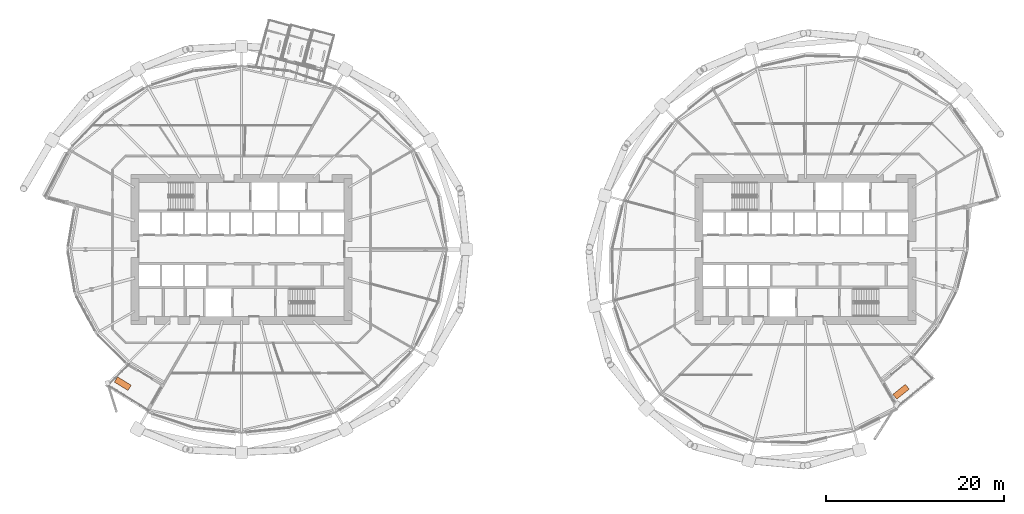
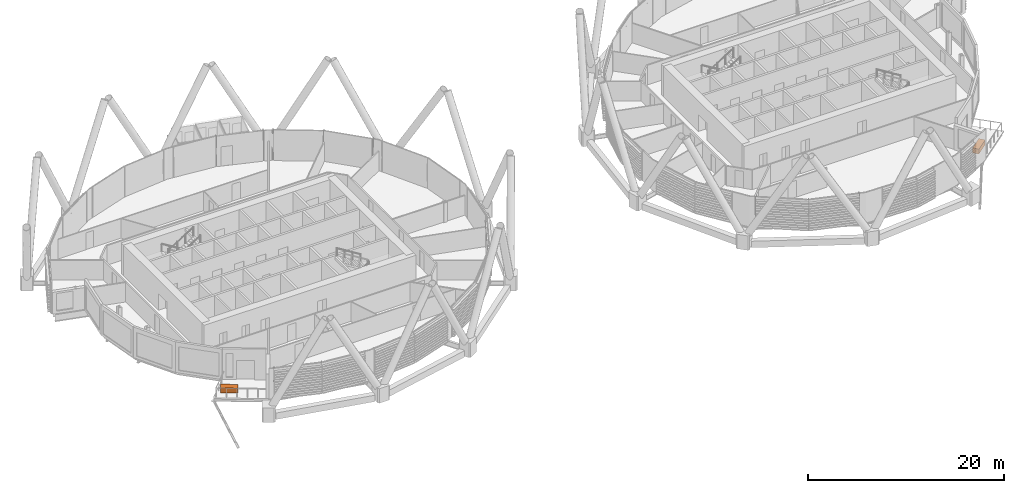
# One storey, part 40 of 40: 2 proxies.
"""IFC4 building model written with IfcOpenShell, lengths in metres."""

from ifc_helpers import new_model, si_unit, direction, frame, origin, origin_2d, place, context, subcontext, project, spatial, rectangle, extrude, material, type_object, element, save


model = new_model("IFC4")

# Units and contexts
model_context = context("Model", 3, precision=1e-05, world=origin(), true_north=direction((0.0, 1.0)))
body_context = subcontext(model_context, "Body", "Model", "MODEL_VIEW")
ifc_project = project(units=[si_unit("LENGTHUNIT", "METRE"), si_unit("AREAUNIT", "SQUARE_METRE"), si_unit("VOLUMEUNIT", "CUBIC_METRE"), si_unit("PLANEANGLEUNIT", "RADIAN"), si_unit("MASSUNIT", "GRAM", prefix="KILO")], contexts=[model_context])

# Site, building, storey
site_placement = place(None, origin())
site = spatial("IfcSite", under=ifc_project, at=site_placement, CompositionType="ELEMENT")
building_placement = place(site_placement, origin())
building = spatial("IfcBuilding", under=site, at=building_placement, Name="Rimbun Link Towers", CompositionType="ELEMENT")
storey_placement = place(building_placement, frame((0.0, 0.0, 52.800048828125)))
storey = spatial("IfcBuildingStorey", under=building, at=storey_placement, Name="L12", CompositionType="ELEMENT", Elevation=52.800048828125)

# Proxies
ifc_material = material(Name="Concrete C30/37", Category="concrete")
building_element_proxy_type = type_object("IfcBuildingElementProxyType", Name="PLANTER precast box 1800X700X600", PredefinedType="USERDEFINED", material=ifc_material)
for number, where, z_axis, x_axis, name in (
    (1, (-45.119140625, -15.124755859375, 0.0), (0.0, 0.0, 1.0), (0.852183322336, -0.523243332621, 0.0), "PLANTER"),
    (2, (42.508544921875, -16.039306640625, 0.0), (0.0, 0.0, 1.0), (0.777277227517, 0.62915825639, 0.0), "PLANTER"),
):
    element("IfcBuildingElementProxy", number, at=place(storey_placement, frame(where, z_axis=z_axis, x_axis=x_axis)), inside=storey, type_object=building_element_proxy_type, Name=name, ObjectType="PLANTER", PredefinedType="USERDEFINED", context=body_context, shape_type="SweptSolid", body=[
        extrude(rectangle(XDim=1.800048828125, YDim=0.699951171875, at=origin_2d()), origin(), (0.0, 0.0, 1.0), 0.60009765625),
    ])

save(model, "model.ifc")
